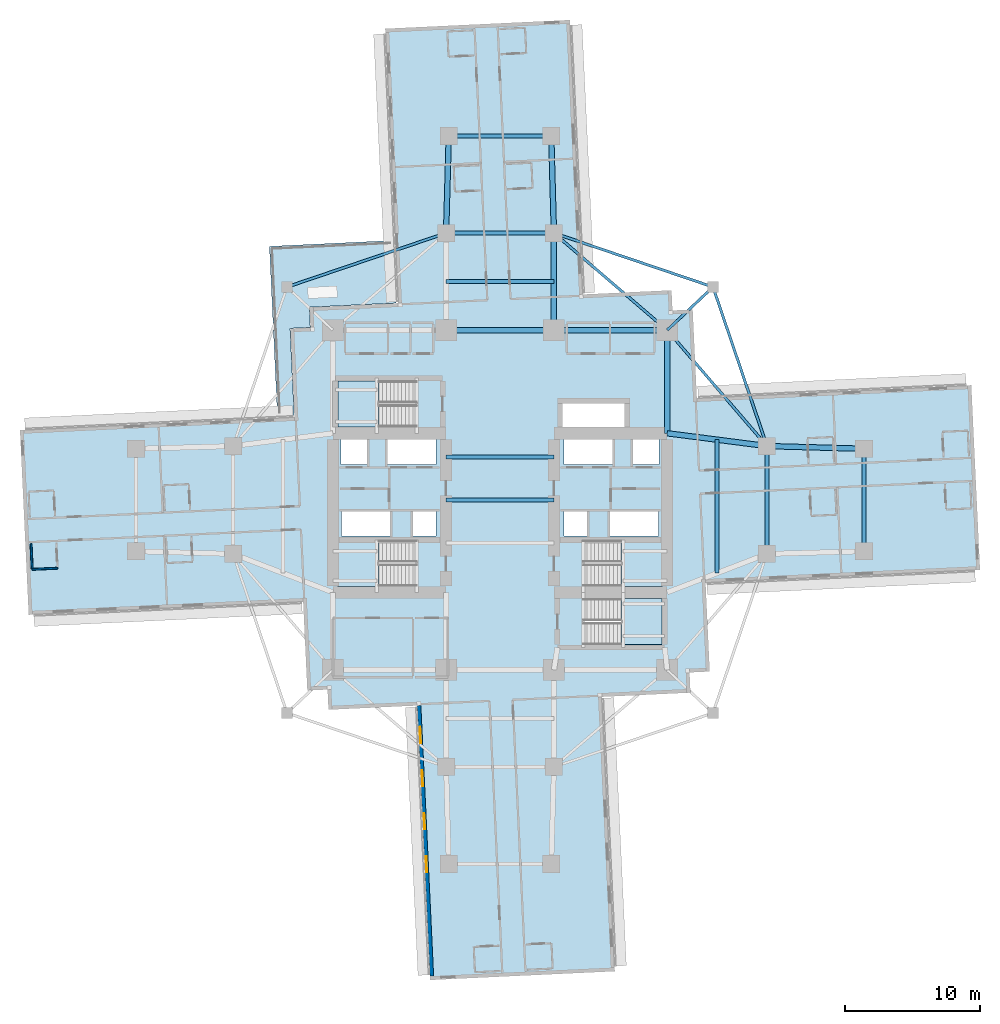
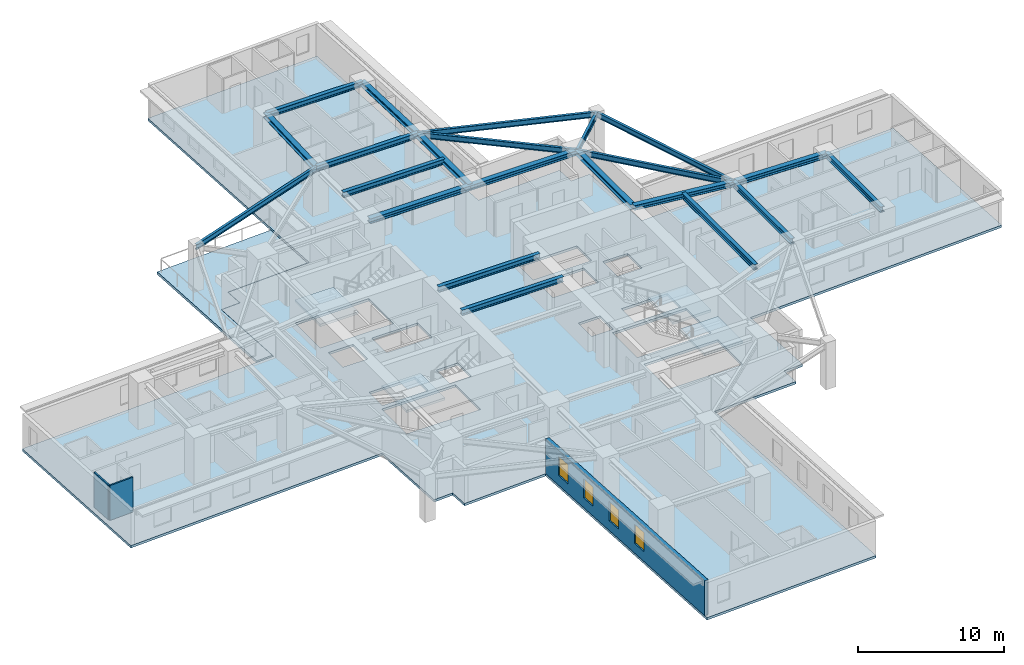
# One storey, part 2 of 14: 22 beams, 6 slabs, 4 windows, 3 walls, 4 openings, 4 elements without a shape of their own.
"""IFC4 building model written with IfcOpenShell, lengths in metres."""

from ifc_helpers import new_model, si_unit, direction, frame, frame_2d, origin, origin_2d, place, context, subcontext, project, spatial, polyline, rectangle, i_section, outline, extrude, material, layer, layer_set, material_profile, profile_set, type_object, element, fill, aggregate, save


model = new_model("IFC4")

# Units and contexts
model_context = context("Model", 3, precision=1e-05, world=origin(), true_north=direction((0.0, 1.0)))
body_context = subcontext(model_context, "Body", "Model", "MODEL_VIEW")
ifc_project = project(units=[si_unit("LENGTHUNIT", "METRE"), si_unit("AREAUNIT", "SQUARE_METRE"), si_unit("VOLUMEUNIT", "CUBIC_METRE"), si_unit("PLANEANGLEUNIT", "RADIAN"), si_unit("MASSUNIT", "GRAM", prefix="KILO")], contexts=[model_context])

# Site, building, storey
site_placement = place(None, origin())
site = spatial("IfcSite", under=ifc_project, at=site_placement, CompositionType="ELEMENT")
building_placement = place(site_placement, origin())
building = spatial("IfcBuilding", under=site, at=building_placement, Name="Qingluan Cross Belvedere", CompositionType="ELEMENT")
storey_placement = place(building_placement, frame((0.0, 0.0, 35.39990234375)))
storey = spatial("IfcBuildingStorey", under=building, at=storey_placement, Name="L09", CompositionType="ELEMENT", Elevation=35.39990234375)

# Beams
ifc_material_1 = material(Name="Steel Q420GJB", Category="steel")
ifc_material_profile_1 = material_profile(ifc_material_1, i_section(OverallWidth=0.300048828125, OverallDepth=0.43994140625, WebThickness=0.010986328125, FlangeThickness=0.01806640625, FilletRadius=0.02001953125, at=origin_2d()), Name="HM440x300x11x18")
ifc_profile_set_1 = profile_set([ifc_material_profile_1], Name="Steel Q420GJB")
beam_type_1 = type_object("IfcBeamType", Name="Steel_Beam_HM440x300x11x18", PredefinedType="BEAM", material=ifc_profile_set_1)
for number, where, z_axis, x_axis, name in (
    (1, (-4.0, 0.0, 3.47998046875), (1.0, 0.0, 0.0), (0.0, 1.0, 0.0), "Hall beam L09-CH2"),
    (2, (-4.0, 3.199951171875, 3.47998046875), (1.0, 0.0, 0.0), (0.0, 1.0, 0.0), "Hall beam L09-CH3"),
    (3, (19.800048828125, -4.0, 3.47998046875), (0.0, 1.0, 0.0), (-1.0, 0.0, 0.0), "Arm E tie L09"),
):
    element("IfcBeam", number, at=place(storey_placement, frame(where, z_axis=z_axis, x_axis=x_axis)), inside=storey, type_object=beam_type_1, Name=name, PredefinedType="BEAM", context=body_context, shape_type="SweptSolid", body=[
        extrude(i_section(OverallWidth=0.300048828125, OverallDepth=0.43994140625, WebThickness=0.010986328125, FlangeThickness=0.01806640625, FilletRadius=0.02001953125, at=origin_2d()), origin(), (0.0, 0.0, 1.0), 8.0),
    ])
beam_1_placement = place(storey_placement, frame((16.10009765625, -5.425048828125, 3.47998046875), z_axis=(0.0, 1.0, 0.0), x_axis=(-1.0, 0.0, 0.0)))
element("IfcBeam", 4, at=beam_1_placement, inside=storey, type_object=beam_type_1, Name="Arm E beam L09", PredefinedType="BEAM", context=body_context, shape_type="SweptSolid", body=[
    extrude(i_section(OverallWidth=0.300048828125, OverallDepth=0.43994140625, WebThickness=0.010986328125, FlangeThickness=0.01806640625, FilletRadius=0.02001953125, at=origin_2d()), origin(), (0.0, 0.0, 1.0), 9.900146484375),
])
beam_2_placement = place(storey_placement, frame((27.0, -3.800048828125, 3.47998046875), z_axis=(0.0, 1.0, 0.0), x_axis=(-1.0, 0.0, 0.0)))
element("IfcBeam", 5, at=beam_2_placement, inside=storey, type_object=beam_type_1, Name="Arm E tip transverse beam L09", PredefinedType="BEAM", context=body_context, shape_type="SweptSolid", body=[
    extrude(i_section(OverallWidth=0.300048828125, OverallDepth=0.43994140625, WebThickness=0.010986328125, FlangeThickness=0.01806640625, FilletRadius=0.02001953125, at=origin_2d()), origin(), (0.0, 0.0, 1.0), 7.60009765625),
])
for number, where, z_axis, x_axis, name in (
    (6, (-4.0, 19.800048828125, 3.47998046875), (1.0, 0.0, 0.0), (0.0, 1.0, 0.0), "Arm N tie L09"),
    (7, (-4.0, 16.199951171875, 3.47998046875), (1.0, 0.0, 0.0), (0.0, 1.0, 0.0), "Arm N beam L09"),
):
    element("IfcBeam", number, at=place(storey_placement, frame(where, z_axis=z_axis, x_axis=x_axis)), inside=storey, type_object=beam_type_1, Name=name, PredefinedType="BEAM", context=body_context, shape_type="SweptSolid", body=[
        extrude(i_section(OverallWidth=0.300048828125, OverallDepth=0.43994140625, WebThickness=0.010986328125, FlangeThickness=0.01806640625, FilletRadius=0.02001953125, at=origin_2d()), origin(), (0.0, 0.0, 1.0), 8.0),
    ])
beam_3_placement = place(storey_placement, frame((-3.800048828125, 27.0, 3.47998046875), z_axis=(1.0, 0.0, 0.0), x_axis=(0.0, 1.0, 0.0)))
element("IfcBeam", 8, at=beam_3_placement, inside=storey, type_object=beam_type_1, Name="Arm N tip transverse beam L09", PredefinedType="BEAM", context=body_context, shape_type="SweptSolid", body=[
    extrude(i_section(OverallWidth=0.300048828125, OverallDepth=0.43994140625, WebThickness=0.010986328125, FlangeThickness=0.01806640625, FilletRadius=0.02001953125, at=origin_2d()), origin(), (0.0, 0.0, 1.0), 7.60009765625),
])
ifc_material_2 = material(Name="Steel Q420GJB", Category="steel")
ifc_material_profile_2 = material_profile(ifc_material_2, i_section(OverallWidth=0.199951171875, OverallDepth=0.449951171875, WebThickness=0.009033203125, FlangeThickness=0.013916015625, FilletRadius=0.01611328125, at=origin_2d()), Name="HN450x200x9x14")
ifc_profile_set_2 = profile_set([ifc_material_profile_2], Name="Steel Q420GJB")
beam_type_2 = type_object("IfcBeamType", Name="Steel_Beam_HN450x200x9x14", PredefinedType="JOIST", material=ifc_profile_set_2)
beam_4_placement = place(storey_placement, frame((12.39990234375, 12.60009765625, 3.47509765625), z_axis=(0.728219948308, 0.685343495546, 0.0), x_axis=(-0.685343495546, 0.728219948308, 0.0)))
element("IfcBeam", 9, at=beam_4_placement, inside=storey, type_object=beam_type_2, Name="Corner beam 1 L09-RNE", PredefinedType="JOIST", context=body_context, shape_type="SweptSolid", body=[
    extrude(i_section(OverallWidth=0.199951171875, OverallDepth=0.449951171875, WebThickness=0.009033203125, FlangeThickness=0.013916015625, FilletRadius=0.01611328125, at=origin_2d()), origin(), (0.0, 0.0, 1.0), 4.669189453125),
])
for number, where, z_axis, x_axis, name in (
    (10, (15.800048828125, 15.800048828125, 3.47509765625), (-0.947066283324, 0.321038089628, 0.0), (-0.321038089628, -0.947066283324, 0.0), "Corner beam 2 L09-RNE"),
    (11, (15.800048828125, 15.800048828125, 3.47509765625), (0.321038089628, -0.947066283324, 0.0), (0.947066283324, 0.321038089628, 0.0), "Corner beam 3 L09-RNE"),
):
    element("IfcBeam", number, at=place(storey_placement, frame(where, z_axis=z_axis, x_axis=x_axis)), inside=storey, type_object=beam_type_2, Name=name, PredefinedType="JOIST", context=body_context, shape_type="SweptSolid", body=[
        extrude(i_section(OverallWidth=0.199951171875, OverallDepth=0.449951171875, WebThickness=0.009033203125, FlangeThickness=0.013916015625, FilletRadius=0.01611328125, at=origin_2d()), origin(), (0.0, 0.0, 1.0), 12.45947265625),
    ])
beam_5_placement = place(storey_placement, frame((12.39990234375, 12.60009765625, 3.47509765625), z_axis=(0.652245077546, -0.75800815221, 0.0), x_axis=(0.75800815221, 0.652245077546, 0.0)))
element("IfcBeam", 12, at=beam_5_placement, inside=storey, type_object=beam_type_2, Name="Corner beam 4 L09-RNE", PredefinedType="JOIST", context=body_context, shape_type="SweptSolid", body=[
    extrude(i_section(OverallWidth=0.199951171875, OverallDepth=0.449951171875, WebThickness=0.009033203125, FlangeThickness=0.013916015625, FilletRadius=0.01611328125, at=origin_2d()), origin(), (0.0, 0.0, 1.0), 11.345703125),
])
beam_6_placement = place(storey_placement, frame((12.39990234375, 12.60009765625, 3.47509765625), z_axis=(-0.759255044656, 0.650793190779, 0.0), x_axis=(-0.650793190779, -0.759255044656, 0.0)))
element("IfcBeam", 13, at=beam_6_placement, inside=storey, type_object=beam_type_2, Name="Corner beam 5 L09-RNE", PredefinedType="JOIST", context=body_context, shape_type="SweptSolid", body=[
    extrude(i_section(OverallWidth=0.199951171875, OverallDepth=0.449951171875, WebThickness=0.009033203125, FlangeThickness=0.013916015625, FilletRadius=0.01611328125, at=origin_2d()), origin(), (0.0, 0.0, 1.0), 11.063232421875),
])
beam_7_placement = place(storey_placement, frame((-15.800048828125, 15.800048828125, 3.455078125), z_axis=(0.947066283324, 0.321038089628, 0.0), x_axis=(-0.321038089628, 0.947066283324, 0.0)))
element("IfcBeam", 14, at=beam_7_placement, inside=storey, type_object=beam_type_2, Name="Corner beam 2 L09-RNW", PredefinedType="JOIST", context=body_context, shape_type="SweptSolid", body=[
    extrude(i_section(OverallWidth=0.199951171875, OverallDepth=0.449951171875, WebThickness=0.009033203125, FlangeThickness=0.013916015625, FilletRadius=0.01611328125, at=origin_2d()), origin(), (0.0, 0.0, 1.0), 12.45947265625),
])
ifc_material_3 = material(Name="Steel Q420GJB", Category="steel")
ifc_material_profile_3 = material_profile(ifc_material_3, i_section(OverallWidth=0.39990234375, OverallDepth=0.39990234375, WebThickness=0.012939453125, FlangeThickness=0.02099609375, FilletRadius=0.02197265625, at=origin_2d()), Name="HW400x400x13x21")
ifc_profile_set_3 = profile_set([ifc_material_profile_3], Name="Steel Q420GJB")
beam_type_3 = type_object("IfcBeamType", Name="Steel_Girder_HW400x400x13x21", PredefinedType="USERDEFINED", material=ifc_profile_set_3)
beam_8_placement = place(storey_placement, frame((-4.0, 12.60009765625, 3.5), z_axis=(1.0, 0.0, 0.0), x_axis=(0.0, 1.0, 0.0)))
element("IfcBeam", 15, at=beam_8_placement, inside=storey, type_object=beam_type_3, Name="Hub girder L09-HG-N2", ObjectType="GIRDER", PredefinedType="USERDEFINED", context=body_context, shape_type="SweptSolid", body=[
    extrude(i_section(OverallWidth=0.39990234375, OverallDepth=0.39990234375, WebThickness=0.012939453125, FlangeThickness=0.02099609375, FilletRadius=0.02197265625, at=origin_2d()), origin(), (0.0, 0.0, 1.0), 8.0),
])
beam_9_placement = place(storey_placement, frame((4.0, 12.60009765625, 3.5), z_axis=(1.0, 0.0, 0.0), x_axis=(0.0, 1.0, 0.0)))
element("IfcBeam", 16, at=beam_9_placement, inside=storey, type_object=beam_type_3, Name="Hub girder L09-HG-N3", ObjectType="GIRDER", PredefinedType="USERDEFINED", context=body_context, shape_type="SweptSolid", body=[
    extrude(i_section(OverallWidth=0.39990234375, OverallDepth=0.39990234375, WebThickness=0.012939453125, FlangeThickness=0.02099609375, FilletRadius=0.02197265625, at=origin_2d()), origin(), (0.0, 0.0, 1.0), 8.39990234375),
])
beam_10_placement = place(storey_placement, frame((12.39990234375, 4.949951171875, 3.5), z_axis=(0.0, 1.0, 0.0), x_axis=(-1.0, 0.0, 0.0)))
element("IfcBeam", 17, at=beam_10_placement, inside=storey, type_object=beam_type_3, Name="Hub girder L09-HG-E2", ObjectType="GIRDER", PredefinedType="USERDEFINED", context=body_context, shape_type="SweptSolid", body=[
    extrude(i_section(OverallWidth=0.39990234375, OverallDepth=0.39990234375, WebThickness=0.012939453125, FlangeThickness=0.02099609375, FilletRadius=0.02197265625, at=origin_2d()), origin(), (0.0, 0.0, 1.0), 7.650146484375),
])
beam_11_placement = place(storey_placement, frame((12.39990234375, 4.949951171875, 3.5), z_axis=(0.991861120628, -0.12732445714, 0.0), x_axis=(0.12732445714, 0.991861120628, 0.0)))
element("IfcBeam", 18, at=beam_11_placement, inside=storey, type_object=beam_type_3, Name="Arm E radial girder B L09", ObjectType="GIRDER", PredefinedType="USERDEFINED", context=body_context, shape_type="SweptSolid", body=[
    extrude(i_section(OverallWidth=0.39990234375, OverallDepth=0.39990234375, WebThickness=0.012939453125, FlangeThickness=0.02099609375, FilletRadius=0.02197265625, at=origin_2d()), origin(), (0.0, 0.0, 1.0), 7.4609375),
])
beam_12_placement = place(storey_placement, frame((19.800048828125, 4.0, 3.5), z_axis=(0.999614603568, -0.027760481514, 0.0), x_axis=(0.027760481514, 0.999614603568, 0.0)))
element("IfcBeam", 19, at=beam_12_placement, inside=storey, type_object=beam_type_3, Name="Arm E outer radial girder B L09", ObjectType="GIRDER", PredefinedType="USERDEFINED", context=body_context, shape_type="SweptSolid", body=[
    extrude(i_section(OverallWidth=0.39990234375, OverallDepth=0.39990234375, WebThickness=0.012939453125, FlangeThickness=0.02099609375, FilletRadius=0.02197265625, at=origin_2d()), origin(), (0.0, 0.0, 1.0), 7.20263671875),
])
beam_13_placement = place(storey_placement, frame((4.0, 12.60009765625, 3.5), z_axis=(0.0, 1.0, 0.0), x_axis=(-1.0, 0.0, 0.0)))
element("IfcBeam", 20, at=beam_13_placement, inside=storey, type_object=beam_type_3, Name="Arm N radial girder B L09", ObjectType="GIRDER", PredefinedType="USERDEFINED", context=body_context, shape_type="SweptSolid", body=[
    extrude(i_section(OverallWidth=0.39990234375, OverallDepth=0.39990234375, WebThickness=0.012939453125, FlangeThickness=0.02099609375, FilletRadius=0.02197265625, at=origin_2d()), origin(), (0.0, 0.0, 1.0), 7.199951171875),
])
for number, where, z_axis, x_axis, name in (
    (21, (-4.0, 19.800048828125, 3.5), (0.027760481514, 0.999614603568, 0.0), (-0.999614603568, 0.027760481514, 0.0), "Arm N outer radial girder A L09"),
    (22, (4.0, 19.800048828125, 3.5), (-0.027760481514, 0.999614603568, 0.0), (-0.999614603568, -0.027760481514, 0.0), "Arm N outer radial girder B L09"),
):
    element("IfcBeam", number, at=place(storey_placement, frame(where, z_axis=z_axis, x_axis=x_axis)), inside=storey, type_object=beam_type_3, Name=name, ObjectType="GIRDER", PredefinedType="USERDEFINED", context=body_context, shape_type="SweptSolid", body=[
        extrude(i_section(OverallWidth=0.39990234375, OverallDepth=0.39990234375, WebThickness=0.012939453125, FlangeThickness=0.02099609375, FilletRadius=0.02197265625, at=origin_2d()), origin(), (0.0, 0.0, 1.0), 7.20263671875),
    ])

# Slab
ifc_material_4 = material(Name="Concrete C40", Category="concrete")
ifc_layer_1 = layer(ifc_material_4, 0.199951171875, Name="FloorSlab_200")
ifc_layer_set_1 = layer_set([ifc_layer_1], Name="Concrete C40")
slab_type_1 = type_object("IfcSlabType", Name="FloorSlab_200", PredefinedType="FLOOR", material=ifc_layer_set_1)
slab_1_placement = place(storey_placement, frame((0.0, 0.0, -0.199951171875)))
element("IfcSlab", 23, at=slab_1_placement, inside=storey, type_object=slab_type_1, Name="Structural floor slab L09", PredefinedType="FLOOR", context=body_context, shape_type="SweptSolid", body=[
    extrude(outline(polyline([(8.51611328125, -34.95751953125), (7.55615234375, -14.600341796875), (14.12890625, -14.290283203125), (14.05810546875, -12.7919921875), (15.556396484375, -12.72119140625), (15.24658203125, -6.148681640625), (35.60400390625, -5.188720703125), (34.95751953125, 8.51611328125), (14.600341796875, 7.55615234375), (14.290283203125, 14.12890625), (12.7919921875, 14.05810546875), (12.72119140625, 15.556396484375), (6.148681640625, 15.24658203125), (5.188720703125, 35.60400390625), (-8.51611328125, 34.95751953125), (-7.55615234375, 14.600341796875), (-14.12890625, 14.290283203125), (-14.05810546875, 12.7919921875), (-15.556396484375, 12.72119140625), (-15.24658203125, 6.148681640625), (-35.60400390625, 5.188720703125), (-34.95751953125, -8.51611328125), (-14.600341796875, -7.55615234375), (-14.290283203125, -14.12890625), (-12.7919921875, -14.05810546875), (-12.72119140625, -15.556396484375), (-6.148681640625, -15.24658203125), (-5.188720703125, -35.60400390625), (8.51611328125, -34.95751953125)]), holes=[polyline([(-12.0, -3.0), (-6.179931640625, -3.0), (-6.179931640625, -6.39990234375), (-12.0, -6.39990234375), (-12.0, -3.0)]), polyline([(6.179931640625, -3.0), (12.0, -3.0), (12.0, -6.39990234375), (6.179931640625, -6.39990234375), (6.179931640625, -3.0)]), polyline([(-12.0, 8.820068359375), (-6.179931640625, 8.820068359375), (-6.179931640625, 5.419921875), (-12.0, 5.419921875), (-12.0, 8.820068359375)]), polyline([(6.179931640625, -7.320068359375), (12.0, -7.320068359375), (12.0, -10.719970703125), (6.179931640625, -10.719970703125), (6.179931640625, -7.320068359375)]), polyline([(-11.800048828125, 4.64990234375), (-9.85009765625, 4.64990234375), (-9.85009765625, 2.64990234375), (-11.800048828125, 2.64990234375), (-11.800048828125, 4.64990234375)]), polyline([(-8.35009765625, 4.64990234375), (-4.75, 4.64990234375), (-4.75, 2.64990234375), (-8.35009765625, 2.64990234375), (-8.35009765625, 4.64990234375)]), polyline([(4.75, 4.64990234375), (8.35009765625, 4.64990234375), (8.35009765625, 2.64990234375), (4.75, 2.64990234375), (4.75, 4.64990234375)]), polyline([(9.85009765625, 4.64990234375), (11.800048828125, 4.64990234375), (11.800048828125, 2.64990234375), (9.85009765625, 2.64990234375), (9.85009765625, 4.64990234375)]), polyline([(-11.75, -0.840087890625), (-8.14990234375, -0.840087890625), (-8.14990234375, -2.659912109375), (-11.75, -2.659912109375), (-11.75, -0.840087890625)]), polyline([(-6.449951171875, -0.840087890625), (-4.75, -0.840087890625), (-4.75, -2.659912109375), (-6.449951171875, -2.659912109375), (-6.449951171875, -0.840087890625)]), polyline([(4.75, -0.840087890625), (6.449951171875, -0.840087890625), (6.449951171875, -2.659912109375), (4.75, -2.659912109375), (4.75, -0.840087890625)]), polyline([(8.14990234375, -0.840087890625), (11.75, -0.840087890625), (11.75, -2.659912109375), (8.14990234375, -2.659912109375), (8.14990234375, -0.840087890625)]), polyline([(4.64990234375, 7.14990234375), (9.25, 7.14990234375), (9.25, 5.14990234375), (4.64990234375, 5.14990234375), (4.64990234375, 7.14990234375)])]), origin(), (0.0, 0.0, 1.0), 0.199951171875),
])

# Stair, slab
ifc_material_5 = material(Name="Concrete C40", Category="concrete")
stair_type = type_object("IfcStairType", Name="CoreDoglegStair_1620", PredefinedType="HALF_TURN_STAIR", material=ifc_material_5)
stair_1_placement = place(storey_placement, origin())
stair_1 = element("IfcStair", 24, at=stair_1_placement, inside=storey, type_object=stair_type, Name="L09 ST1", PredefinedType="HALF_TURN_STAIR")
ifc_material_6 = material(Name="Concrete C40", Category="concrete")
ifc_layer_2 = layer(ifc_material_6, 0.179931640625, Name="StairLandingSlab_180")
ifc_layer_set_2 = layer_set([ifc_layer_2], Name="Concrete C40")
slab_type_2 = type_object("IfcSlabType", Name="StairLandingSlab_180", PredefinedType="LANDING", material=ifc_layer_set_2)
slab_2_placement = place(storey_placement, frame((0.0, 0.0, 1.75)))
slab_2 = element("IfcSlab", 25, at=slab_2_placement, type_object=slab_type_2, Name="ST1 landing 1", PredefinedType="LANDING", context=body_context, shape_type="SweptSolid", body=[
    extrude(outline(polyline([(-8.97998046875, -3.0), (-12.0, -3.0), (-12.0, -6.39990234375), (-8.97998046875, -6.39990234375), (-8.97998046875, -3.0)])), origin(), (0.0, 0.0, 1.0), 0.2001953125),
])
aggregate(stair_1, [slab_2])

stair_2_placement = place(storey_placement, origin())
stair_2 = element("IfcStair", 26, at=stair_2_placement, inside=storey, type_object=stair_type, Name="L09 ST2", PredefinedType="HALF_TURN_STAIR")
slab_3_placement = place(storey_placement, frame((0.0, 0.0, 1.75)))
slab_3 = element("IfcSlab", 27, at=slab_3_placement, type_object=slab_type_2, Name="ST2 landing 1", PredefinedType="LANDING", context=body_context, shape_type="SweptSolid", body=[
    extrude(outline(polyline([(8.97998046875, -6.39990234375), (12.0, -6.39990234375), (12.0, -3.0), (8.97998046875, -3.0), (8.97998046875, -6.39990234375)])), origin(), (0.0, 0.0, 1.0), 0.2001953125),
])
aggregate(stair_2, [slab_3])

stair_3_placement = place(storey_placement, origin())
stair_3 = element("IfcStair", 28, at=stair_3_placement, inside=storey, type_object=stair_type, Name="L09 ST3", PredefinedType="HALF_TURN_STAIR")
slab_4_placement = place(storey_placement, frame((0.0, 0.0, 1.75)))
slab_4 = element("IfcSlab", 29, at=slab_4_placement, type_object=slab_type_2, Name="ST3 landing 1", PredefinedType="LANDING", context=body_context, shape_type="SweptSolid", body=[
    extrude(outline(polyline([(-8.97998046875, 8.820068359375), (-12.0, 8.820068359375), (-12.0, 5.419921875), (-8.97998046875, 5.419921875), (-8.97998046875, 8.820068359375)])), origin(), (0.0, 0.0, 1.0), 0.2001953125),
])
aggregate(stair_3, [slab_4])

stair_4_placement = place(storey_placement, origin())
stair_4 = element("IfcStair", 30, at=stair_4_placement, inside=storey, type_object=stair_type, Name="L09 ST4", PredefinedType="HALF_TURN_STAIR")
slab_5_placement = place(storey_placement, frame((0.0, 0.0, 1.75)))
slab_5 = element("IfcSlab", 31, at=slab_5_placement, type_object=slab_type_2, Name="ST4 landing 1", PredefinedType="LANDING", context=body_context, shape_type="SweptSolid", body=[
    extrude(outline(polyline([(8.97998046875, -10.719970703125), (12.0, -10.719970703125), (12.0, -7.320068359375), (8.97998046875, -7.320068359375), (8.97998046875, -10.719970703125)])), origin(), (0.0, 0.0, 1.0), 0.2001953125),
])
aggregate(stair_4, [slab_5])

# Slab
ifc_material_7 = material(Name="Concrete C40", Category="concrete")
ifc_layer_3 = layer(ifc_material_7, 0.219970703125, Name="TerraceSlab_220")
ifc_layer_set_3 = layer_set([ifc_layer_3], Name="Concrete C40")
slab_type_3 = type_object("IfcSlabType", Name="TerraceSlab_220", PredefinedType="FLOOR", material=ifc_layer_set_3)
slab_6_placement = place(storey_placement, frame((0.0, 0.0, -0.219970703125)))
element("IfcSlab", 32, at=slab_6_placement, inside=storey, type_object=slab_type_3, Name="Spiralling winter-garden terrace slab L09", PredefinedType="FLOOR", context=body_context, shape_type="SweptSolid", body=[
    extrude(outline(polyline([(-15.26318359375, 6.2880859375), (-15.565185546875, 12.7265625), (-14.068603515625, 12.801513671875), (-14.138916015625, 14.289794921875), (-14.13134765625, 14.300048828125), (-7.696533203125, 14.603759765625), (-7.91552734375, 19.24853515625), (-17.105224609375, 18.815185546875), (-16.51171875, 6.22900390625), (-15.26318359375, 6.2880859375)])), origin(), (0.0, 0.0, 1.0), 0.219970703125),
])

# Walls
ifc_material_8 = material(Name="Moisture-resistant gypsum board lining")
ifc_layer_4 = layer(ifc_material_8, 0.1201171875, Name="EnsuiteWetPartition_120")
ifc_layer_set_4 = layer_set([ifc_layer_4], Name="Moisture-resistant gypsum board lining")
wall_type_1 = type_object("IfcWallType", Name="EnsuiteWetPartition_120", PredefinedType="PARTITIONING", material=ifc_layer_set_4)
wall_1_placement = place(storey_placement, frame((-34.69921875, -5.080078125, 0.0), z_axis=(0.0, 0.0, 1.0), x_axis=(-0.047087116047, 0.998890786574, 0.0)))
element("IfcWall", 33, at=wall_1_placement, inside=storey, type_object=wall_type_1, Name="Partition L09:W:bw1_1", PredefinedType="PARTITIONING", context=body_context, shape_type="SweptSolid", body=[
    extrude(rectangle(XDim=1.81982421875, YDim=0.1201171875, at=frame_2d((0.909912109375, 0.0))), origin(), (0.0, 0.0, 1.0), 2.900146484375),
])
wall_2_placement = place(storey_placement, frame((-32.818115234375, -5.056640625, 0.0), z_axis=(0.0, 0.0, 1.0), x_axis=(-0.998894425757, -0.04700985207, 0.0)))
element("IfcWall", 34, at=wall_2_placement, inside=storey, type_object=wall_type_1, Name="Partition L09:W:bc1_1", PredefinedType="PARTITIONING", context=body_context, shape_type="SweptSolid", body=[
    extrude(rectangle(XDim=1.880126953125, YDim=0.1201171875, at=frame_2d((0.93994140625, 0.0))), origin(), (0.0, 0.0, 1.0), 2.900146484375),
])

# Wall, openings, windows
ifc_material_9 = material(Name="Precast concrete C45", Category="concrete")
ifc_layer_5 = layer(ifc_material_9, 0.280029296875, Name="PrecastFacadeWall_280")
ifc_layer_set_5 = layer_set([ifc_layer_5], Name="Precast concrete C45")
wall_type_2 = type_object("IfcWallType", Name="PrecastFacadeWall_280", PredefinedType="STANDARD", material=ifc_layer_set_5)
wall_3_placement = place(storey_placement, frame((-6.0087890625, -15.239990234375, 0.0), z_axis=(0.0, 0.0, 1.0), x_axis=(0.047103473814, -0.998890015344, 0.0)))
wall_3 = element("IfcWall", 35, at=wall_3_placement, inside=storey, type_object=wall_type_2, Name="Facade wall L09-SA", PredefinedType="STANDARD", context=body_context, shape_type="SweptSolid", body=[
    extrude(rectangle(XDim=20.099853515625, YDim=0.280029296875, at=frame_2d((10.0498046875, 0.0))), origin(), (0.0, 0.0, 1.0), 2.91015625),
])
opening_1_placement = place(wall_3_placement, frame((1.60009765625, 0.0, 0.800048828125)))
opening_1 = element("IfcOpeningElement", 36, at=opening_1_placement, cuts=wall_3, Name="Opening W-02", PredefinedType="OPENING", context=body_context, shape_type="SweptSolid", body=[
    extrude(rectangle(XDim=1.199951171875, YDim=1.60009765625, at=frame_2d((0.60009765625, 0.800048828125))), frame((0.0, 0.14990234375, 0.0), z_axis=(0.0, -1.0, 0.0), x_axis=(1.0, 0.0, 0.0)), (0.0, 0.0, 1.0), 0.300048828125),
])
opening_2_placement = place(wall_3_placement, frame((4.800048828125, 0.0, 0.800048828125)))
opening_2 = element("IfcOpeningElement", 37, at=opening_2_placement, cuts=wall_3, Name="Opening W-02", PredefinedType="OPENING", context=body_context, shape_type="SweptSolid", body=[
    extrude(rectangle(XDim=1.199951171875, YDim=1.60009765625, at=frame_2d((0.60009765625, 0.800048828125))), frame((0.0, 0.14990234375, 0.0), z_axis=(0.0, -1.0, 0.0), x_axis=(1.0, 0.0, 0.0)), (0.0, 0.0, 1.0), 0.300048828125),
])
opening_3_placement = place(wall_3_placement, frame((8.0, 0.0, 0.800048828125)))
opening_3 = element("IfcOpeningElement", 38, at=opening_3_placement, cuts=wall_3, Name="Opening W-02", PredefinedType="OPENING", context=body_context, shape_type="SweptSolid", body=[
    extrude(rectangle(XDim=1.199951171875, YDim=1.60009765625, at=frame_2d((0.60009765625, 0.800048828125))), frame((0.0, 0.14990234375, 0.0), z_axis=(0.0, -1.0, 0.0), x_axis=(1.0, 0.0, 0.0)), (0.0, 0.0, 1.0), 0.300048828125),
])
opening_4_placement = place(wall_3_placement, frame((11.199951171875, 0.0, 0.800048828125)))
opening_4 = element("IfcOpeningElement", 39, at=opening_4_placement, cuts=wall_3, Name="Opening W-02", PredefinedType="OPENING", context=body_context, shape_type="SweptSolid", body=[
    extrude(rectangle(XDim=1.199951171875, YDim=1.60009765625, at=frame_2d((0.60009765625, 0.800048828125))), frame((0.0, 0.14990234375, 0.0), z_axis=(0.0, -1.0, 0.0), x_axis=(1.0, 0.0, 0.0)), (0.0, 0.0, 1.0), 0.300048828125),
])
ifc_material_10 = material(Name="Thermally broken triple Low-E glass in aluminium frame", Category="aluminium")
window_type = type_object("IfcWindowType", Name="TriRibbonWin_1200x1600", PartitioningType="SINGLE_PANEL", PredefinedType="WINDOW", material=ifc_material_10)
window_1_placement = place(opening_1_placement, origin())
window_1 = element("IfcWindow", 40, at=window_1_placement, inside=storey, type_object=window_type, Name="Ribbon window L09-SA-1", OverallHeight=1.60009765625, OverallWidth=1.199951171875, PartitioningType="SINGLE_PANEL", PredefinedType="WINDOW", context=body_context, shape_type="SweptSolid", body=[
    extrude(rectangle(XDim=1.199951171875, YDim=1.60009765625, at=frame_2d((0.60009765625, 0.800048828125))), frame((0.0, 0.030029296875, 0.0), z_axis=(0.0, -1.0, 0.0), x_axis=(1.0, 0.0, 0.0)), (0.0, 0.0, 1.0), 0.06005859375),
])
fill(opening_1, window_1)
window_2_placement = place(opening_2_placement, origin())
window_2 = element("IfcWindow", 41, at=window_2_placement, inside=storey, type_object=window_type, Name="Ribbon window L09-SA-2", OverallHeight=1.60009765625, OverallWidth=1.199951171875, PartitioningType="SINGLE_PANEL", PredefinedType="WINDOW", context=body_context, shape_type="SweptSolid", body=[
    extrude(rectangle(XDim=1.199951171875, YDim=1.60009765625, at=frame_2d((0.60009765625, 0.800048828125))), frame((0.0, 0.030029296875, 0.0), z_axis=(0.0, -1.0, 0.0), x_axis=(1.0, 0.0, 0.0)), (0.0, 0.0, 1.0), 0.06005859375),
])
fill(opening_2, window_2)
window_3_placement = place(opening_3_placement, origin())
window_3 = element("IfcWindow", 42, at=window_3_placement, inside=storey, type_object=window_type, Name="Ribbon window L09-SA-3", OverallHeight=1.60009765625, OverallWidth=1.199951171875, PartitioningType="SINGLE_PANEL", PredefinedType="WINDOW", context=body_context, shape_type="SweptSolid", body=[
    extrude(rectangle(XDim=1.199951171875, YDim=1.60009765625, at=frame_2d((0.60009765625, 0.800048828125))), frame((0.0, 0.030029296875, 0.0), z_axis=(0.0, -1.0, 0.0), x_axis=(1.0, 0.0, 0.0)), (0.0, 0.0, 1.0), 0.06005859375),
])
fill(opening_3, window_3)
window_4_placement = place(opening_4_placement, origin())
window_4 = element("IfcWindow", 43, at=window_4_placement, inside=storey, type_object=window_type, Name="Ribbon window L09-SA-4", OverallHeight=1.60009765625, OverallWidth=1.199951171875, PartitioningType="SINGLE_PANEL", PredefinedType="WINDOW", context=body_context, shape_type="SweptSolid", body=[
    extrude(rectangle(XDim=1.199951171875, YDim=1.60009765625, at=frame_2d((0.60009765625, 0.800048828125))), frame((0.0, 0.030029296875, 0.0), z_axis=(0.0, -1.0, 0.0), x_axis=(1.0, 0.0, 0.0)), (0.0, 0.0, 1.0), 0.06005859375),
])
fill(opening_4, window_4)

save(model, "model.ifc")
